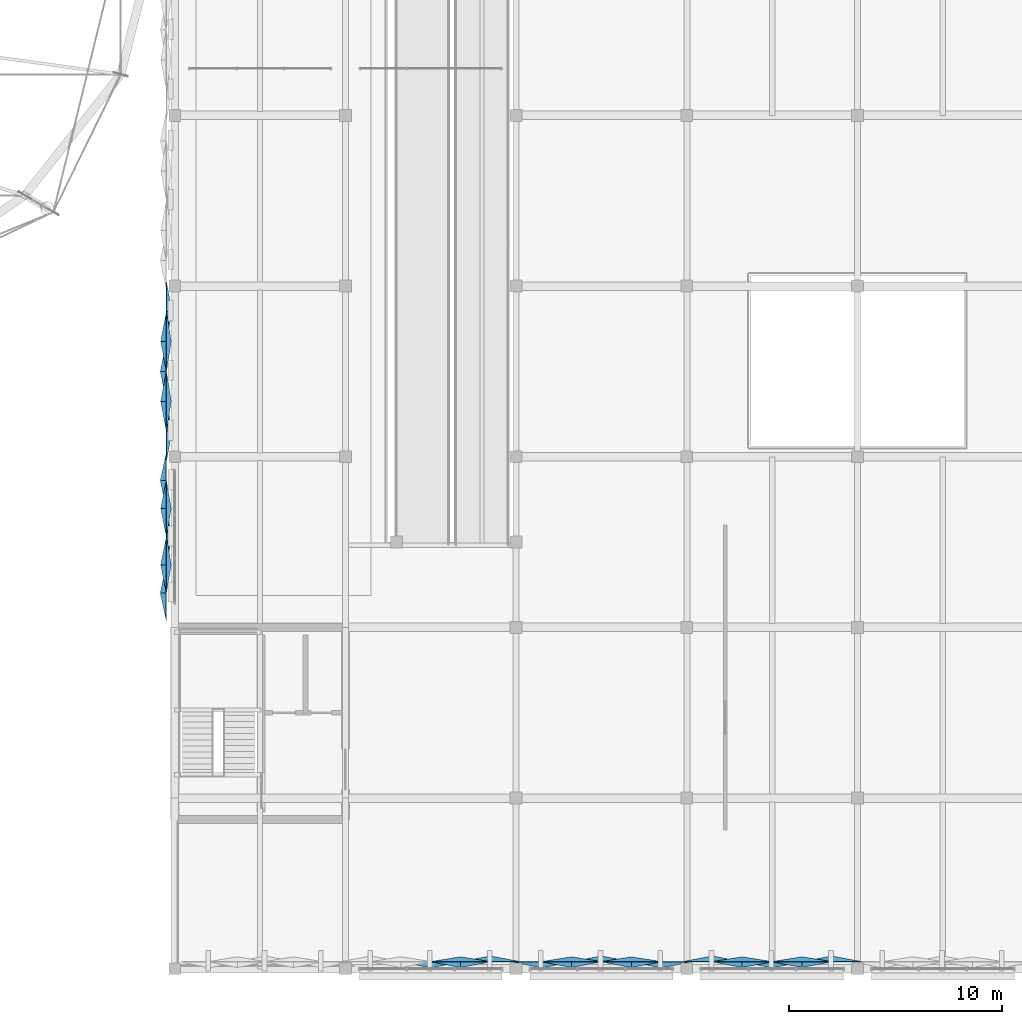
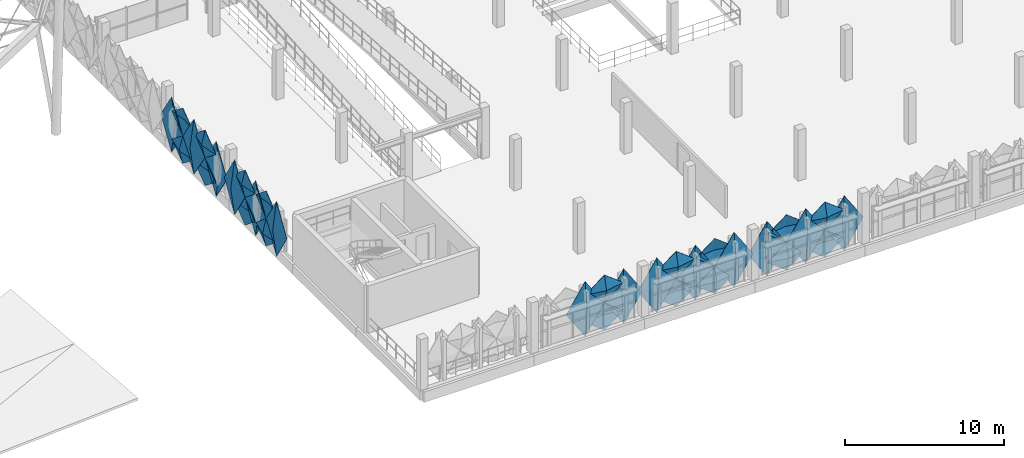
# One storey, part 69 of 96: 32 plates.
"""IFC4 building model written with IfcOpenShell, lengths in metres."""

import ifcopenshell
import ifcopenshell.guid

model = None  # the IFC model being written
_history = None  # IfcOwnerHistory: only IFC2X3 demands one
_inside = {}  # id of a spatial element -> (the spatial element, [elements in it])
_under = {}  # id of a project, library or spatial element -> (it, [spatial elements below it])
_declared = {}  # id of a project -> (the project, [libraries it declares])
_typed = {}  # id of a type object -> (the type object, [elements of that type])
_made_of = {}  # id of a material, layer set ... -> (it, [elements and type objects made of it])


def new_model(schema):
    """Start an empty IFC model of exactly this schema.

    Asked for "IFC4X3", IfcOpenShell would pick the latest addendum, in which some entities
    have other attributes; the version numbers below select the first issue.
    IFC2X3 requires an IfcOwnerHistory on every rooted entity: one is made here for all.
    """
    global model, _history
    if schema == "IFC4X3":
        model = ifcopenshell.file(schema_version=(4, 3, 0, 0))
    else:
        model = ifcopenshell.file(schema=schema)
    _inside.clear()
    _under.clear()
    _declared.clear()
    _typed.clear()
    _made_of.clear()
    _history = None
    if model.schema == "IFC2X3":
        org = make("IfcOrganization", Name="unknown")
        user = make(
            "IfcPersonAndOrganization",
            ThePerson=make("IfcPerson", FamilyName="unknown"),
            TheOrganization=org,
        )
        app = make(
            "IfcApplication",
            ApplicationDeveloper=org,
            Version="unknown",
            ApplicationFullName="unknown",
            ApplicationIdentifier="unknown",
        )
        _history = make(
            "IfcOwnerHistory",
            OwningUser=user,
            OwningApplication=app,
            ChangeAction="ADDED",
            CreationDate=0,
        )
    return model


def make(cls, **values):
    """One entity of the class cls with the attributes given. An attribute that is None is left unset."""
    return model.create_entity(
        cls, **{name: value for name, value in values.items() if value is not None}
    )


def rooted(cls, **values):
    """An entity with a GlobalId (a new one), such as an element, a storey or a relation."""
    return make(cls, GlobalId=ifcopenshell.guid.new(), OwnerHistory=_history, **values)


def si_unit(unit_type, name, prefix=None):
    """IfcSIUnit, for example si_unit("LENGTHUNIT", "METRE", prefix="MILLI")."""
    return make("IfcSIUnit", UnitType=unit_type, Prefix=prefix, Name=name)


def derived_unit(unit_type, elements):
    """IfcDerivedUnit: a product of units, each with its exponent."""
    return make(
        "IfcDerivedUnit",
        Elements=[
            make("IfcDerivedUnitElement", Unit=unit, Exponent=power)
            for unit, power in elements
        ],
        UnitType=unit_type,
    )


def assignment(units):
    """IfcUnitAssignment: the units of a project."""
    return None if units is None else make("IfcUnitAssignment", Units=units)


def point(xyz):
    """IfcCartesianPoint."""
    return None if xyz is None else make("IfcCartesianPoint", Coordinates=xyz)


def direction(xyz):
    """IfcDirection."""
    return None if xyz is None else make("IfcDirection", DirectionRatios=xyz)


def frame(location, z_axis=None, x_axis=None):
    """IfcAxis2Placement3D, a coordinate frame: its origin and axes. An axis left out is left unset."""
    return make(
        "IfcAxis2Placement3D",
        Location=point(location),
        Axis=direction(z_axis),
        RefDirection=direction(x_axis),
    )


def origin():
    """The frame at (0, 0, 0) with its axes left unset."""
    return frame((0.0, 0.0, 0.0))


def place(relative_to, where):
    """IfcLocalPlacement: puts the frame where relative to a parent placement (None: the world)."""
    return make(
        "IfcLocalPlacement", PlacementRelTo=relative_to, RelativePlacement=where
    )


def context(
    kind, dimensions, precision=None, world=None, true_north=None, identifier=None
):
    """IfcGeometricRepresentationContext, for example the 3D "Model" context."""
    return make(
        "IfcGeometricRepresentationContext",
        ContextIdentifier=identifier,
        ContextType=kind,
        CoordinateSpaceDimension=dimensions,
        Precision=precision,
        WorldCoordinateSystem=world,
        TrueNorth=true_north,
    )


def subcontext(parent, identifier, kind, view, scale=None):
    """IfcGeometricRepresentationSubContext, for example "Body" below "Model"."""
    return make(
        "IfcGeometricRepresentationSubContext",
        ContextIdentifier=identifier,
        ContextType=kind,
        ParentContext=parent,
        TargetScale=scale,
        TargetView=view,
    )


def project(units=None, contexts=None):
    """IfcProject with its units and contexts."""
    return rooted(
        "IfcProject",
        Name="project",
        RepresentationContexts=contexts,
        UnitsInContext=assignment(units),
    )


def spatial(cls, under=None, at=None, **own):
    """A site, building, storey or space (cls), placed at a placement, below another one or the project."""
    s = rooted(cls, ObjectPlacement=at, **own)
    if under is not None:
        _under.setdefault(under.id(), (under, []))[1].append(s)
    return s


def point_list(points):
    """IfcCartesianPointList2D or 3D."""
    cls = (
        "IfcCartesianPointList2D" if len(points[0]) == 2 else "IfcCartesianPointList3D"
    )
    return make(cls, CoordList=points)


def polygons(points, faces, closed=None, point_numbers=None):
    """IfcPolygonalFaceSet: a face is its outer loop, then its inner loops; points numbered from 1."""
    made = []
    for loops in faces:
        if len(loops) == 1:
            made.append(make("IfcIndexedPolygonalFace", CoordIndex=loops[0]))
        else:
            made.append(
                make(
                    "IfcIndexedPolygonalFaceWithVoids",
                    CoordIndex=loops[0],
                    InnerCoordIndices=loops[1:],
                )
            )
    return make(
        "IfcPolygonalFaceSet",
        Coordinates=point_list(points),
        Closed=closed,
        Faces=made,
        PnIndex=point_numbers,
    )


def shape(context_of_items, identifier, shape_type, items):
    """IfcShapeRepresentation: the items that make up one representation, for example the "Body"."""
    return make(
        "IfcShapeRepresentation",
        ContextOfItems=context_of_items,
        RepresentationIdentifier=identifier,
        RepresentationType=shape_type,
        Items=items,
    )


def material(Name=None, Category=None):
    """IfcMaterial."""
    return make("IfcMaterial", Name=Name, Category=Category)


def layer(
    of_material, thickness, ventilated=None, Name=None, Category=None, Priority=None
):
    """IfcMaterialLayer: one layer of a wall or slab, of a material (None: an air gap)."""
    return make(
        "IfcMaterialLayer",
        Material=of_material,
        LayerThickness=thickness,
        IsVentilated=ventilated,
        Name=Name,
        Category=Category,
        Priority=Priority,
    )


def layer_set(layers, Name=None):
    """IfcMaterialLayerSet."""
    return make("IfcMaterialLayerSet", MaterialLayers=layers, LayerSetName=Name)


def made_of(thing, what):
    """Note that an element or type object is made of a material, layer set ...; save() writes the relation."""
    if what is not None:
        _made_of.setdefault(what.id(), (what, []))[1].append(thing)
    return thing


def type_object(cls, material=None, **own):
    """A type object (cls), such as IfcWallType, which elements share."""
    return made_of(rooted(cls, **own), material)


def element(
    cls,
    number,
    at=None,
    inside=None,
    cuts=None,
    type_object=None,
    material=None,
    context=None,
    identifier="Body",
    shape_type=None,
    held_by="IfcProductDefinitionShape",
    body=None,
    shapes=None,
    **own,
):
    """One element of the class cls, such as IfcWall. Its Tag is "e" and its number.

    at: its placement. inside: the storey or other place that contains it. cuts: it is an
    opening in that element (IfcRelVoidsElement). A single representation is given by context,
    identifier, shape_type and body (its items); several are given by shapes. held_by: the class
    of the entity that holds the representations. save() writes the other relations.
    """
    e = rooted(cls, Tag="e%d" % number, ObjectPlacement=at, **own)
    if body is not None:
        shapes = [shape(context, identifier, shape_type, body)]
    if shapes is not None:
        e.Representation = make(held_by, Representations=shapes)
    if inside is not None:
        _inside.setdefault(inside.id(), (inside, []))[1].append(e)
    if cuts is not None:
        rooted(
            "IfcRelVoidsElement", RelatingBuildingElement=cuts, RelatedOpeningElement=e
        )
    if type_object is not None:
        _typed.setdefault(type_object.id(), (type_object, []))[1].append(e)
    return made_of(e, material)


def aggregate(whole, parts):
    """IfcRelAggregates: a whole, such as a stair, and the parts it consists of."""
    return rooted("IfcRelAggregates", RelatingObject=whole, RelatedObjects=parts)


def save(model, path):
    """Write the relations noted so far, then the file.

    IfcRelAggregates (storeys below a building ...), IfcRelContainedInSpatialStructure (elements
    in a storey), IfcRelDefinesByType, IfcRelAssociatesMaterial and IfcRelDeclares: one each for
    every whole, place, type object, material and project.
    """
    for whole, parts in _under.values():
        aggregate(whole, parts)
    for where, things in _inside.values():
        rooted(
            "IfcRelContainedInSpatialStructure",
            RelatedElements=things,
            RelatingStructure=where,
        )
    for kind, things in _typed.values():
        rooted("IfcRelDefinesByType", RelatedObjects=things, RelatingType=kind)
    for what, things in _made_of.values():
        rooted("IfcRelAssociatesMaterial", RelatedObjects=things, RelatingMaterial=what)
    for by, libraries in _declared.values():
        rooted("IfcRelDeclares", RelatingContext=by, RelatedDefinitions=libraries)
    model.write(path)


model = new_model("IFC4")

# Units and contexts
model_context = context("Model", 3, precision=1e-05, world=origin(), true_north=direction((0.0, 1.0)))
body_context = subcontext(model_context, "Body", "Model", "MODEL_VIEW")
ifc_project = project(units=[si_unit("LENGTHUNIT", "METRE"), si_unit("AREAUNIT", "SQUARE_METRE"), si_unit("VOLUMEUNIT", "CUBIC_METRE"), si_unit("PLANEANGLEUNIT", "RADIAN"), si_unit("MASSUNIT", "GRAM", prefix="KILO"), si_unit("THERMODYNAMICTEMPERATUREUNIT", "KELVIN"), derived_unit("THERMALTRANSMITTANCEUNIT", [(si_unit("POWERUNIT", "WATT"), 1), (si_unit("AREAUNIT", "SQUARE_METRE"), -1), (si_unit("THERMODYNAMICTEMPERATUREUNIT", "KELVIN"), -1)])], contexts=[model_context])

# Site, building, storey
site_placement = place(None, origin())
site = spatial("IfcSite", under=ifc_project, at=site_placement, CompositionType="ELEMENT")
building_placement = place(site_placement, origin())
building = spatial("IfcBuilding", under=site, at=building_placement, Name="Haiyu Intermodal Mobility Hub", CompositionType="ELEMENT")
storey_placement = place(building_placement, frame((0.0, 0.0, 9.5)))
storey = spatial("IfcBuildingStorey", under=building, at=storey_placement, Name="L02", CompositionType="ELEMENT", Elevation=9.5)

# Plates
ifc_material = material(Name="Anodised aluminium 6063-T6", Category="aluminium")
ifc_layer_1 = layer(ifc_material, 0.01806640625)
ifc_layer_set_1 = layer_set([ifc_layer_1], Name="Anodised aluminium 6063-T6")
plate_type_1 = type_object("IfcPlateType", Name="PLT-FC01", PredefinedType="USERDEFINED", material=ifc_layer_set_1)
plate_1_placement = place(storey_placement, origin())
element("IfcPlate", 1, at=plate_1_placement, inside=storey, type_object=plate_type_1, Name="PLT-PYR-1628", ObjectType="FACADE CASSETTE", PredefinedType="USERDEFINED", context=body_context, shape_type="Tessellation", body=[
    polygons([(176.800048828125, 16.320068359375, -0.510009765625), (178.179931640625, 16.320068359375, 1.60009765625), (176.800048828125, 16.320068359375, 3.7099609375), (175.419921875, 16.320068359375, 1.60009765625), (176.800048828125, 16.0400390625, 1.60009765625), (176.800048828125, 16.342041015625, -0.510009765625), (178.179931640625, 16.342041015625, 1.60009765625), (176.800048828125, 16.342041015625, 3.7099609375), (175.419921875, 16.342041015625, 1.60009765625), (176.800048828125, 16.06201171875, 1.60009765625)], [[[1, 2, 5]], [[2, 3, 5]], [[3, 4, 5]], [[4, 1, 5]], [[7, 6, 10]], [[8, 7, 10]], [[9, 8, 10]], [[6, 9, 10]], [[1, 6, 7, 2]], [[2, 7, 8, 3]], [[3, 8, 9, 4]], [[4, 9, 6, 1]]], closed=True),
])
plate_2_placement = place(storey_placement, origin())
element("IfcPlate", 2, at=plate_2_placement, inside=storey, type_object=plate_type_1, Name="PLT-PYR-1701", ObjectType="FACADE CASSETTE", PredefinedType="USERDEFINED", context=body_context, shape_type="Tessellation", body=[
    polygons([(153.60009765625, 33.616943359375, -0.510009765625), (153.60009765625, 32.320068359375, 1.60009765625), (153.60009765625, 33.616943359375, 3.7099609375), (153.60009765625, 34.9130859375, 1.60009765625), (153.320068359375, 33.616943359375, 1.60009765625), (153.6220703125, 33.616943359375, -0.510009765625), (153.6220703125, 32.320068359375, 1.60009765625), (153.6220703125, 33.616943359375, 3.7099609375), (153.6220703125, 34.9130859375, 1.60009765625), (153.342041015625, 33.616943359375, 1.60009765625)], [[[1, 2, 5]], [[2, 3, 5]], [[3, 4, 5]], [[4, 1, 5]], [[7, 6, 10]], [[8, 7, 10]], [[9, 8, 10]], [[6, 9, 10]], [[1, 6, 7, 2]], [[2, 7, 8, 3]], [[3, 8, 9, 4]], [[4, 9, 6, 1]]], closed=True),
])
ifc_layer_2 = layer(ifc_material, 0.02001953125)
ifc_layer_set_2 = layer_set([ifc_layer_2], Name="Anodised aluminium 6063-T6")
plate_type_2 = type_object("IfcPlateType", Name="PLT-FC02", PredefinedType="USERDEFINED", material=ifc_layer_set_2)
plate_3_placement = place(storey_placement, origin())
element("IfcPlate", 3, at=plate_3_placement, inside=storey, type_object=plate_type_2, Name="PLT-PYR-1621", ObjectType="FACADE CASSETTE", PredefinedType="USERDEFINED", context=body_context, shape_type="Tessellation", body=[
    polygons([(168.800048828125, 16.320068359375, -0.510009765625), (170.179931640625, 16.320068359375, 1.60009765625), (168.800048828125, 16.320068359375, 3.7099609375), (167.419921875, 16.320068359375, 1.60009765625), (168.800048828125, 16.580078125, 1.60009765625), (168.800048828125, 16.342041015625, -0.510009765625), (170.179931640625, 16.342041015625, 1.60009765625), (168.800048828125, 16.342041015625, 3.7099609375), (167.419921875, 16.342041015625, 1.60009765625), (168.800048828125, 16.60205078125, 1.60009765625)], [[[1, 2, 5]], [[2, 3, 5]], [[3, 4, 5]], [[4, 1, 5]], [[7, 6, 10]], [[8, 7, 10]], [[9, 8, 10]], [[6, 9, 10]], [[1, 6, 7, 2]], [[2, 7, 8, 3]], [[3, 8, 9, 4]], [[4, 9, 6, 1]]], closed=True),
])
plate_4_placement = place(storey_placement, origin())
element("IfcPlate", 4, at=plate_4_placement, inside=storey, type_object=plate_type_2, Name="PLT-PYR-1635", ObjectType="FACADE CASSETTE", PredefinedType="USERDEFINED", context=body_context, shape_type="Tessellation", body=[
    polygons([(184.800048828125, 16.320068359375, -0.510009765625), (186.179931640625, 16.320068359375, 1.60009765625), (184.800048828125, 16.320068359375, 3.7099609375), (183.419921875, 16.320068359375, 1.60009765625), (184.800048828125, 16.580078125, 1.60009765625), (184.800048828125, 16.342041015625, -0.510009765625), (186.179931640625, 16.342041015625, 1.60009765625), (184.800048828125, 16.342041015625, 3.7099609375), (183.419921875, 16.342041015625, 1.60009765625), (184.800048828125, 16.60205078125, 1.60009765625)], [[[1, 2, 5]], [[2, 3, 5]], [[3, 4, 5]], [[4, 1, 5]], [[7, 6, 10]], [[8, 7, 10]], [[9, 8, 10]], [[6, 9, 10]], [[1, 6, 7, 2]], [[2, 7, 8, 3]], [[3, 8, 9, 4]], [[4, 9, 6, 1]]], closed=True),
])
plate_5_placement = place(storey_placement, origin())
element("IfcPlate", 5, at=plate_5_placement, inside=storey, type_object=plate_type_2, Name="PLT-PYR-1708", ObjectType="FACADE CASSETTE", PredefinedType="USERDEFINED", context=body_context, shape_type="Tessellation", body=[
    polygons([(153.60009765625, 41.199951171875, -0.510009765625), (153.60009765625, 39.820068359375, 1.60009765625), (153.60009765625, 41.199951171875, 3.7099609375), (153.60009765625, 42.580078125, 1.60009765625), (153.860107421875, 41.199951171875, 1.60009765625), (153.6220703125, 41.199951171875, -0.510009765625), (153.6220703125, 39.820068359375, 1.60009765625), (153.6220703125, 41.199951171875, 3.7099609375), (153.6220703125, 42.580078125, 1.60009765625), (153.882080078125, 41.199951171875, 1.60009765625)], [[[1, 2, 5]], [[2, 3, 5]], [[3, 4, 5]], [[4, 1, 5]], [[7, 6, 10]], [[8, 7, 10]], [[9, 8, 10]], [[6, 9, 10]], [[1, 6, 7, 2]], [[2, 7, 8, 3]], [[3, 8, 9, 4]], [[4, 9, 6, 1]]], closed=True),
])
ifc_layer_3 = layer(ifc_material, 0.01806640625)
ifc_layer_set_3 = layer_set([ifc_layer_3], Name="Anodised aluminium 6063-T6")
plate_type_3 = type_object("IfcPlateType", Name="PLT-FC05", PredefinedType="USERDEFINED", material=ifc_layer_set_3)
plate_6_placement = place(storey_placement, origin())
element("IfcPlate", 6, at=plate_6_placement, inside=storey, type_object=plate_type_3, Name="PLT-PYR-1622", ObjectType="FACADE CASSETTE", PredefinedType="USERDEFINED", context=body_context, shape_type="Tessellation", body=[
    polygons([(171.199951171875, 16.320068359375, -0.510009765625), (172.580078125, 16.320068359375, 1.60009765625), (171.199951171875, 16.320068359375, 3.7099609375), (169.820068359375, 16.320068359375, 1.60009765625), (171.199951171875, 16.0400390625, 1.60009765625), (171.199951171875, 16.342041015625, -0.510009765625), (172.580078125, 16.342041015625, 1.60009765625), (171.199951171875, 16.342041015625, 3.7099609375), (169.820068359375, 16.342041015625, 1.60009765625), (171.199951171875, 16.06201171875, 1.60009765625)], [[[1, 2, 5]], [[2, 3, 5]], [[3, 4, 5]], [[4, 1, 5]], [[7, 6, 10]], [[8, 7, 10]], [[9, 8, 10]], [[6, 9, 10]], [[1, 6, 7, 2]], [[2, 7, 8, 3]], [[3, 8, 9, 4]], [[4, 9, 6, 1]]], closed=True),
])
plate_7_placement = place(storey_placement, origin())
element("IfcPlate", 7, at=plate_7_placement, inside=storey, type_object=plate_type_3, Name="PLT-PYR-1626", ObjectType="FACADE CASSETTE", PredefinedType="USERDEFINED", context=body_context, shape_type="Tessellation", body=[
    polygons([(175.39990234375, 16.320068359375, -0.52001953125), (176.780029296875, 16.320068359375, 0.530029296875), (175.39990234375, 16.320068359375, 1.580078125), (174.02001953125, 16.320068359375, 0.530029296875), (175.39990234375, 16.06005859375, 0.530029296875), (175.39990234375, 16.342041015625, -0.52001953125), (176.780029296875, 16.342041015625, 0.530029296875), (175.39990234375, 16.342041015625, 1.580078125), (174.02001953125, 16.342041015625, 0.530029296875), (175.39990234375, 16.08203125, 0.530029296875)], [[[1, 2, 5]], [[2, 3, 5]], [[3, 4, 5]], [[4, 1, 5]], [[7, 6, 10]], [[8, 7, 10]], [[9, 8, 10]], [[6, 9, 10]], [[1, 6, 7, 2]], [[2, 7, 8, 3]], [[3, 8, 9, 4]], [[4, 9, 6, 1]]], closed=True),
])
plate_8_placement = place(storey_placement, origin())
element("IfcPlate", 8, at=plate_8_placement, inside=storey, type_object=plate_type_3, Name="PLT-PYR-1630", ObjectType="FACADE CASSETTE", PredefinedType="USERDEFINED", context=body_context, shape_type="Tessellation", body=[
    polygons([(180.60009765625, 16.320068359375, -0.52001953125), (181.97998046875, 16.320068359375, 0.530029296875), (180.60009765625, 16.320068359375, 1.580078125), (179.219970703125, 16.320068359375, 0.530029296875), (180.60009765625, 16.06005859375, 0.530029296875), (180.60009765625, 16.342041015625, -0.52001953125), (181.97998046875, 16.342041015625, 0.530029296875), (180.60009765625, 16.342041015625, 1.580078125), (179.219970703125, 16.342041015625, 0.530029296875), (180.60009765625, 16.08203125, 0.530029296875)], [[[1, 2, 5]], [[2, 3, 5]], [[3, 4, 5]], [[4, 1, 5]], [[7, 6, 10]], [[8, 7, 10]], [[9, 8, 10]], [[6, 9, 10]], [[1, 6, 7, 2]], [[2, 7, 8, 3]], [[3, 8, 9, 4]], [[4, 9, 6, 1]]], closed=True),
])
plate_9_placement = place(storey_placement, origin())
element("IfcPlate", 9, at=plate_9_placement, inside=storey, type_object=plate_type_3, Name="PLT-PYR-1695", ObjectType="FACADE CASSETTE", PredefinedType="USERDEFINED", context=body_context, shape_type="Tessellation", body=[
    polygons([(153.60009765625, 38.883056640625, -0.510009765625), (153.60009765625, 37.5869140625, 1.60009765625), (153.60009765625, 38.883056640625, 3.7099609375), (153.60009765625, 40.179931640625, 1.60009765625), (153.320068359375, 38.883056640625, 1.60009765625), (153.6220703125, 38.883056640625, -0.510009765625), (153.6220703125, 37.5869140625, 1.60009765625), (153.6220703125, 38.883056640625, 3.7099609375), (153.6220703125, 40.179931640625, 1.60009765625), (153.342041015625, 38.883056640625, 1.60009765625)], [[[1, 2, 5]], [[2, 3, 5]], [[3, 4, 5]], [[4, 1, 5]], [[7, 6, 10]], [[8, 7, 10]], [[9, 8, 10]], [[6, 9, 10]], [[1, 6, 7, 2]], [[2, 7, 8, 3]], [[3, 8, 9, 4]], [[4, 9, 6, 1]]], closed=True),
])
plate_10_placement = place(storey_placement, origin())
element("IfcPlate", 10, at=plate_10_placement, inside=storey, type_object=plate_type_3, Name="PLT-PYR-1699", ObjectType="FACADE CASSETTE", PredefinedType="USERDEFINED", context=body_context, shape_type="Tessellation", body=[
    polygons([(153.60009765625, 34.93310546875, -0.52001953125), (153.60009765625, 33.636962890625, 0.530029296875), (153.60009765625, 34.93310546875, 1.580078125), (153.60009765625, 36.22998046875, 0.530029296875), (153.340087890625, 34.93310546875, 0.530029296875), (153.6220703125, 34.93310546875, -0.52001953125), (153.6220703125, 33.636962890625, 0.530029296875), (153.6220703125, 34.93310546875, 1.580078125), (153.6220703125, 36.22998046875, 0.530029296875), (153.362060546875, 34.93310546875, 0.530029296875)], [[[1, 2, 5]], [[2, 3, 5]], [[3, 4, 5]], [[4, 1, 5]], [[7, 6, 10]], [[8, 7, 10]], [[9, 8, 10]], [[6, 9, 10]], [[1, 6, 7, 2]], [[2, 7, 8, 3]], [[3, 8, 9, 4]], [[4, 9, 6, 1]]], closed=True),
])
plate_11_placement = place(storey_placement, origin())
element("IfcPlate", 11, at=plate_11_placement, inside=storey, type_object=plate_type_3, Name="PLT-PYR-1703", ObjectType="FACADE CASSETTE", PredefinedType="USERDEFINED", context=body_context, shape_type="Tessellation", body=[
    polygons([(153.60009765625, 45.39990234375, -0.52001953125), (153.60009765625, 44.02001953125, 0.530029296875), (153.60009765625, 45.39990234375, 1.580078125), (153.60009765625, 46.780029296875, 0.530029296875), (153.340087890625, 45.39990234375, 0.530029296875), (153.6220703125, 45.39990234375, -0.52001953125), (153.6220703125, 44.02001953125, 0.530029296875), (153.6220703125, 45.39990234375, 1.580078125), (153.6220703125, 46.780029296875, 0.530029296875), (153.362060546875, 45.39990234375, 0.530029296875)], [[[1, 2, 5]], [[2, 3, 5]], [[3, 4, 5]], [[4, 1, 5]], [[7, 6, 10]], [[8, 7, 10]], [[9, 8, 10]], [[6, 9, 10]], [[1, 6, 7, 2]], [[2, 7, 8, 3]], [[3, 8, 9, 4]], [[4, 9, 6, 1]]], closed=True),
])
ifc_layer_4 = layer(ifc_material, 0.02001953125)
ifc_layer_set_4 = layer_set([ifc_layer_4], Name="Anodised aluminium 6063-T6")
plate_type_4 = type_object("IfcPlateType", Name="PLT-FC06", PredefinedType="USERDEFINED", material=ifc_layer_set_4)
plate_12_placement = place(storey_placement, origin())
element("IfcPlate", 12, at=plate_12_placement, inside=storey, type_object=plate_type_4, Name="PLT-PYR-1619", ObjectType="FACADE CASSETTE", PredefinedType="USERDEFINED", context=body_context, shape_type="Tessellation", body=[
    polygons([(167.39990234375, 16.320068359375, -0.52001953125), (168.780029296875, 16.320068359375, 0.530029296875), (167.39990234375, 16.320068359375, 1.580078125), (166.02001953125, 16.320068359375, 0.530029296875), (167.39990234375, 16.5400390625, 0.530029296875), (167.39990234375, 16.342041015625, -0.52001953125), (168.780029296875, 16.342041015625, 0.530029296875), (167.39990234375, 16.342041015625, 1.580078125), (166.02001953125, 16.342041015625, 0.530029296875), (167.39990234375, 16.56201171875, 0.530029296875)], [[[1, 2, 5]], [[2, 3, 5]], [[3, 4, 5]], [[4, 1, 5]], [[7, 6, 10]], [[8, 7, 10]], [[9, 8, 10]], [[6, 9, 10]], [[1, 6, 7, 2]], [[2, 7, 8, 3]], [[3, 8, 9, 4]], [[4, 9, 6, 1]]], closed=True),
])
plate_13_placement = place(storey_placement, origin())
element("IfcPlate", 13, at=plate_13_placement, inside=storey, type_object=plate_type_4, Name="PLT-PYR-1623", ObjectType="FACADE CASSETTE", PredefinedType="USERDEFINED", context=body_context, shape_type="Tessellation", body=[
    polygons([(172.60009765625, 16.320068359375, -0.52001953125), (173.97998046875, 16.320068359375, 0.530029296875), (172.60009765625, 16.320068359375, 1.580078125), (171.219970703125, 16.320068359375, 0.530029296875), (172.60009765625, 16.5400390625, 0.530029296875), (172.60009765625, 16.342041015625, -0.52001953125), (173.97998046875, 16.342041015625, 0.530029296875), (172.60009765625, 16.342041015625, 1.580078125), (171.219970703125, 16.342041015625, 0.530029296875), (172.60009765625, 16.56201171875, 0.530029296875)], [[[1, 2, 5]], [[2, 3, 5]], [[3, 4, 5]], [[4, 1, 5]], [[7, 6, 10]], [[8, 7, 10]], [[9, 8, 10]], [[6, 9, 10]], [[1, 6, 7, 2]], [[2, 7, 8, 3]], [[3, 8, 9, 4]], [[4, 9, 6, 1]]], closed=True),
])
plate_14_placement = place(storey_placement, origin())
element("IfcPlate", 14, at=plate_14_placement, inside=storey, type_object=plate_type_4, Name="PLT-PYR-1629", ObjectType="FACADE CASSETTE", PredefinedType="USERDEFINED", context=body_context, shape_type="Tessellation", body=[
    polygons([(179.199951171875, 16.320068359375, -0.510009765625), (180.580078125, 16.320068359375, 1.60009765625), (179.199951171875, 16.320068359375, 3.7099609375), (177.820068359375, 16.320068359375, 1.60009765625), (179.199951171875, 16.580078125, 1.60009765625), (179.199951171875, 16.342041015625, -0.510009765625), (180.580078125, 16.342041015625, 1.60009765625), (179.199951171875, 16.342041015625, 3.7099609375), (177.820068359375, 16.342041015625, 1.60009765625), (179.199951171875, 16.60205078125, 1.60009765625)], [[[1, 2, 5]], [[2, 3, 5]], [[3, 4, 5]], [[4, 1, 5]], [[7, 6, 10]], [[8, 7, 10]], [[9, 8, 10]], [[6, 9, 10]], [[1, 6, 7, 2]], [[2, 7, 8, 3]], [[3, 8, 9, 4]], [[4, 9, 6, 1]]], closed=True),
])
plate_15_placement = place(storey_placement, origin())
element("IfcPlate", 15, at=plate_15_placement, inside=storey, type_object=plate_type_4, Name="PLT-PYR-1633", ObjectType="FACADE CASSETTE", PredefinedType="USERDEFINED", context=body_context, shape_type="Tessellation", body=[
    polygons([(183.39990234375, 16.320068359375, -0.52001953125), (184.780029296875, 16.320068359375, 0.530029296875), (183.39990234375, 16.320068359375, 1.580078125), (182.02001953125, 16.320068359375, 0.530029296875), (183.39990234375, 16.5400390625, 0.530029296875), (183.39990234375, 16.342041015625, -0.52001953125), (184.780029296875, 16.342041015625, 0.530029296875), (183.39990234375, 16.342041015625, 1.580078125), (182.02001953125, 16.342041015625, 0.530029296875), (183.39990234375, 16.56201171875, 0.530029296875)], [[[1, 2, 5]], [[2, 3, 5]], [[3, 4, 5]], [[4, 1, 5]], [[7, 6, 10]], [[8, 7, 10]], [[9, 8, 10]], [[6, 9, 10]], [[1, 6, 7, 2]], [[2, 7, 8, 3]], [[3, 8, 9, 4]], [[4, 9, 6, 1]]], closed=True),
])
plate_16_placement = place(storey_placement, origin())
element("IfcPlate", 16, at=plate_16_placement, inside=storey, type_object=plate_type_4, Name="PLT-PYR-1696", ObjectType="FACADE CASSETTE", PredefinedType="USERDEFINED", context=body_context, shape_type="Tessellation", body=[
    polygons([(153.60009765625, 37.56689453125, -0.52001953125), (153.60009765625, 36.27001953125, 0.530029296875), (153.60009765625, 37.56689453125, 1.580078125), (153.60009765625, 38.863037109375, 0.530029296875), (153.820068359375, 37.56689453125, 0.530029296875), (153.6220703125, 37.56689453125, -0.52001953125), (153.6220703125, 36.27001953125, 0.530029296875), (153.6220703125, 37.56689453125, 1.580078125), (153.6220703125, 38.863037109375, 0.530029296875), (153.842041015625, 37.56689453125, 0.530029296875)], [[[1, 2, 5]], [[2, 3, 5]], [[3, 4, 5]], [[4, 1, 5]], [[7, 6, 10]], [[8, 7, 10]], [[9, 8, 10]], [[6, 9, 10]], [[1, 6, 7, 2]], [[2, 7, 8, 3]], [[3, 8, 9, 4]], [[4, 9, 6, 1]]], closed=True),
])
plate_17_placement = place(storey_placement, origin())
element("IfcPlate", 17, at=plate_17_placement, inside=storey, type_object=plate_type_4, Name="PLT-PYR-1702", ObjectType="FACADE CASSETTE", PredefinedType="USERDEFINED", context=body_context, shape_type="Tessellation", body=[
    polygons([(153.60009765625, 46.800048828125, -0.510009765625), (153.60009765625, 45.419921875, 1.60009765625), (153.60009765625, 46.800048828125, 3.7099609375), (153.60009765625, 48.179931640625, 1.60009765625), (153.860107421875, 46.800048828125, 1.60009765625), (153.6220703125, 46.800048828125, -0.510009765625), (153.6220703125, 45.419921875, 1.60009765625), (153.6220703125, 46.800048828125, 3.7099609375), (153.6220703125, 48.179931640625, 1.60009765625), (153.882080078125, 46.800048828125, 1.60009765625)], [[[1, 2, 5]], [[2, 3, 5]], [[3, 4, 5]], [[4, 1, 5]], [[7, 6, 10]], [[8, 7, 10]], [[9, 8, 10]], [[6, 9, 10]], [[1, 6, 7, 2]], [[2, 7, 8, 3]], [[3, 8, 9, 4]], [[4, 9, 6, 1]]], closed=True),
])
plate_18_placement = place(storey_placement, origin())
element("IfcPlate", 18, at=plate_18_placement, inside=storey, type_object=plate_type_4, Name="PLT-PYR-1706", ObjectType="FACADE CASSETTE", PredefinedType="USERDEFINED", context=body_context, shape_type="Tessellation", body=[
    polygons([(153.60009765625, 42.60009765625, -0.52001953125), (153.60009765625, 41.219970703125, 0.530029296875), (153.60009765625, 42.60009765625, 1.580078125), (153.60009765625, 43.97998046875, 0.530029296875), (153.820068359375, 42.60009765625, 0.530029296875), (153.6220703125, 42.60009765625, -0.52001953125), (153.6220703125, 41.219970703125, 0.530029296875), (153.6220703125, 42.60009765625, 1.580078125), (153.6220703125, 43.97998046875, 0.530029296875), (153.842041015625, 42.60009765625, 0.530029296875)], [[[1, 2, 5]], [[2, 3, 5]], [[3, 4, 5]], [[4, 1, 5]], [[7, 6, 10]], [[8, 7, 10]], [[9, 8, 10]], [[6, 9, 10]], [[1, 6, 7, 2]], [[2, 7, 8, 3]], [[3, 8, 9, 4]], [[4, 9, 6, 1]]], closed=True),
])
ifc_layer_5 = layer(ifc_material, 0.02197265625)
ifc_layer_set_5 = layer_set([ifc_layer_5], Name="Anodised aluminium 6063-T6")
plate_type_5 = type_object("IfcPlateType", Name="PLT-FC07", PredefinedType="USERDEFINED", material=ifc_layer_set_5)
plate_19_placement = place(storey_placement, origin())
element("IfcPlate", 19, at=plate_19_placement, inside=storey, type_object=plate_type_5, Name="PLT-PYR-1618", ObjectType="FACADE CASSETTE", PredefinedType="USERDEFINED", context=body_context, shape_type="Tessellation", body=[
    polygons([(166.0, 16.320068359375, -0.510009765625), (167.3798828125, 16.320068359375, 1.60009765625), (166.0, 16.320068359375, 3.7099609375), (164.6201171875, 16.320068359375, 1.60009765625), (166.0, 16.0400390625, 1.60009765625), (166.0, 16.342041015625, -0.510009765625), (167.3798828125, 16.342041015625, 1.60009765625), (166.0, 16.342041015625, 3.7099609375), (164.6201171875, 16.342041015625, 1.60009765625), (166.0, 16.06201171875, 1.60009765625)], [[[1, 2, 5]], [[2, 3, 5]], [[3, 4, 5]], [[4, 1, 5]], [[7, 6, 10]], [[8, 7, 10]], [[9, 8, 10]], [[6, 9, 10]], [[1, 6, 7, 2]], [[2, 7, 8, 3]], [[3, 8, 9, 4]], [[4, 9, 6, 1]]], closed=True),
])
plate_20_placement = place(storey_placement, origin())
element("IfcPlate", 20, at=plate_20_placement, inside=storey, type_object=plate_type_5, Name="PLT-PYR-1620", ObjectType="FACADE CASSETTE", PredefinedType="USERDEFINED", context=body_context, shape_type="Tessellation", body=[
    polygons([(167.39990234375, 16.320068359375, 1.6201171875), (168.780029296875, 16.320068359375, 2.669921875), (167.39990234375, 16.320068359375, 3.719970703125), (166.02001953125, 16.320068359375, 2.669921875), (167.39990234375, 16.06005859375, 2.669921875), (167.39990234375, 16.342041015625, 1.6201171875), (168.780029296875, 16.342041015625, 2.669921875), (167.39990234375, 16.342041015625, 3.719970703125), (166.02001953125, 16.342041015625, 2.669921875), (167.39990234375, 16.08203125, 2.669921875)], [[[1, 2, 5]], [[2, 3, 5]], [[3, 4, 5]], [[4, 1, 5]], [[7, 6, 10]], [[8, 7, 10]], [[9, 8, 10]], [[6, 9, 10]], [[1, 6, 7, 2]], [[2, 7, 8, 3]], [[3, 8, 9, 4]], [[4, 9, 6, 1]]], closed=True),
])
plate_21_placement = place(storey_placement, origin())
element("IfcPlate", 21, at=plate_21_placement, inside=storey, type_object=plate_type_5, Name="PLT-PYR-1624", ObjectType="FACADE CASSETTE", PredefinedType="USERDEFINED", context=body_context, shape_type="Tessellation", body=[
    polygons([(172.60009765625, 16.320068359375, 1.6201171875), (173.97998046875, 16.320068359375, 2.669921875), (172.60009765625, 16.320068359375, 3.719970703125), (171.219970703125, 16.320068359375, 2.669921875), (172.60009765625, 16.06005859375, 2.669921875), (172.60009765625, 16.342041015625, 1.6201171875), (173.97998046875, 16.342041015625, 2.669921875), (172.60009765625, 16.342041015625, 3.719970703125), (171.219970703125, 16.342041015625, 2.669921875), (172.60009765625, 16.08203125, 2.669921875)], [[[1, 2, 5]], [[2, 3, 5]], [[3, 4, 5]], [[4, 1, 5]], [[7, 6, 10]], [[8, 7, 10]], [[9, 8, 10]], [[6, 9, 10]], [[1, 6, 7, 2]], [[2, 7, 8, 3]], [[3, 8, 9, 4]], [[4, 9, 6, 1]]], closed=True),
])
plate_22_placement = place(storey_placement, origin())
element("IfcPlate", 22, at=plate_22_placement, inside=storey, type_object=plate_type_5, Name="PLT-PYR-1632", ObjectType="FACADE CASSETTE", PredefinedType="USERDEFINED", context=body_context, shape_type="Tessellation", body=[
    polygons([(182.0, 16.320068359375, -0.510009765625), (183.3798828125, 16.320068359375, 1.60009765625), (182.0, 16.320068359375, 3.7099609375), (180.6201171875, 16.320068359375, 1.60009765625), (182.0, 16.0400390625, 1.60009765625), (182.0, 16.342041015625, -0.510009765625), (183.3798828125, 16.342041015625, 1.60009765625), (182.0, 16.342041015625, 3.7099609375), (180.6201171875, 16.342041015625, 1.60009765625), (182.0, 16.06201171875, 1.60009765625)], [[[1, 2, 5]], [[2, 3, 5]], [[3, 4, 5]], [[4, 1, 5]], [[7, 6, 10]], [[8, 7, 10]], [[9, 8, 10]], [[6, 9, 10]], [[1, 6, 7, 2]], [[2, 7, 8, 3]], [[3, 8, 9, 4]], [[4, 9, 6, 1]]], closed=True),
])
plate_23_placement = place(storey_placement, origin())
element("IfcPlate", 23, at=plate_23_placement, inside=storey, type_object=plate_type_5, Name="PLT-PYR-1634", ObjectType="FACADE CASSETTE", PredefinedType="USERDEFINED", context=body_context, shape_type="Tessellation", body=[
    polygons([(183.39990234375, 16.320068359375, 1.6201171875), (184.780029296875, 16.320068359375, 2.669921875), (183.39990234375, 16.320068359375, 3.719970703125), (182.02001953125, 16.320068359375, 2.669921875), (183.39990234375, 16.06005859375, 2.669921875), (183.39990234375, 16.342041015625, 1.6201171875), (184.780029296875, 16.342041015625, 2.669921875), (183.39990234375, 16.342041015625, 3.719970703125), (182.02001953125, 16.342041015625, 2.669921875), (183.39990234375, 16.08203125, 2.669921875)], [[[1, 2, 5]], [[2, 3, 5]], [[3, 4, 5]], [[4, 1, 5]], [[7, 6, 10]], [[8, 7, 10]], [[9, 8, 10]], [[6, 9, 10]], [[1, 6, 7, 2]], [[2, 7, 8, 3]], [[3, 8, 9, 4]], [[4, 9, 6, 1]]], closed=True),
])
plate_24_placement = place(storey_placement, origin())
element("IfcPlate", 24, at=plate_24_placement, inside=storey, type_object=plate_type_5, Name="PLT-PYR-1697", ObjectType="FACADE CASSETTE", PredefinedType="USERDEFINED", context=body_context, shape_type="Tessellation", body=[
    polygons([(153.60009765625, 37.56689453125, 1.6201171875), (153.60009765625, 36.27001953125, 2.669921875), (153.60009765625, 37.56689453125, 3.719970703125), (153.60009765625, 38.863037109375, 2.669921875), (153.340087890625, 37.56689453125, 2.669921875), (153.6220703125, 37.56689453125, 1.6201171875), (153.6220703125, 36.27001953125, 2.669921875), (153.6220703125, 37.56689453125, 3.719970703125), (153.6220703125, 38.863037109375, 2.669921875), (153.362060546875, 37.56689453125, 2.669921875)], [[[1, 2, 5]], [[2, 3, 5]], [[3, 4, 5]], [[4, 1, 5]], [[7, 6, 10]], [[8, 7, 10]], [[9, 8, 10]], [[6, 9, 10]], [[1, 6, 7, 2]], [[2, 7, 8, 3]], [[3, 8, 9, 4]], [[4, 9, 6, 1]]], closed=True),
])
plate_25_placement = place(storey_placement, origin())
element("IfcPlate", 25, at=plate_25_placement, inside=storey, type_object=plate_type_5, Name="PLT-PYR-1705", ObjectType="FACADE CASSETTE", PredefinedType="USERDEFINED", context=body_context, shape_type="Tessellation", body=[
    polygons([(153.60009765625, 44.0, -0.510009765625), (153.60009765625, 42.6201171875, 1.60009765625), (153.60009765625, 44.0, 3.7099609375), (153.60009765625, 45.3798828125, 1.60009765625), (153.320068359375, 44.0, 1.60009765625), (153.6220703125, 44.0, -0.510009765625), (153.6220703125, 42.6201171875, 1.60009765625), (153.6220703125, 44.0, 3.7099609375), (153.6220703125, 45.3798828125, 1.60009765625), (153.342041015625, 44.0, 1.60009765625)], [[[1, 2, 5]], [[2, 3, 5]], [[3, 4, 5]], [[4, 1, 5]], [[7, 6, 10]], [[8, 7, 10]], [[9, 8, 10]], [[6, 9, 10]], [[1, 6, 7, 2]], [[2, 7, 8, 3]], [[3, 8, 9, 4]], [[4, 9, 6, 1]]], closed=True),
])
plate_26_placement = place(storey_placement, origin())
element("IfcPlate", 26, at=plate_26_placement, inside=storey, type_object=plate_type_5, Name="PLT-PYR-1707", ObjectType="FACADE CASSETTE", PredefinedType="USERDEFINED", context=body_context, shape_type="Tessellation", body=[
    polygons([(153.60009765625, 42.60009765625, 1.6201171875), (153.60009765625, 41.219970703125, 2.669921875), (153.60009765625, 42.60009765625, 3.719970703125), (153.60009765625, 43.97998046875, 2.669921875), (153.340087890625, 42.60009765625, 2.669921875), (153.6220703125, 42.60009765625, 1.6201171875), (153.6220703125, 41.219970703125, 2.669921875), (153.6220703125, 42.60009765625, 3.719970703125), (153.6220703125, 43.97998046875, 2.669921875), (153.362060546875, 42.60009765625, 2.669921875)], [[[1, 2, 5]], [[2, 3, 5]], [[3, 4, 5]], [[4, 1, 5]], [[7, 6, 10]], [[8, 7, 10]], [[9, 8, 10]], [[6, 9, 10]], [[1, 6, 7, 2]], [[2, 7, 8, 3]], [[3, 8, 9, 4]], [[4, 9, 6, 1]]], closed=True),
])
ifc_layer_6 = layer(ifc_material, 0.02392578125)
ifc_layer_set_6 = layer_set([ifc_layer_6], Name="Anodised aluminium 6063-T6")
plate_type_6 = type_object("IfcPlateType", Name="PLT-FC08", PredefinedType="USERDEFINED", material=ifc_layer_set_6)
plate_27_placement = place(storey_placement, origin())
element("IfcPlate", 27, at=plate_27_placement, inside=storey, type_object=plate_type_6, Name="PLT-PYR-1625", ObjectType="FACADE CASSETTE", PredefinedType="USERDEFINED", context=body_context, shape_type="Tessellation", body=[
    polygons([(174.0, 16.320068359375, -0.510009765625), (175.3798828125, 16.320068359375, 1.60009765625), (174.0, 16.320068359375, 3.7099609375), (172.6201171875, 16.320068359375, 1.60009765625), (174.0, 16.580078125, 1.60009765625), (174.0, 16.342041015625, -0.510009765625), (175.3798828125, 16.342041015625, 1.60009765625), (174.0, 16.342041015625, 3.7099609375), (172.6201171875, 16.342041015625, 1.60009765625), (174.0, 16.60205078125, 1.60009765625)], [[[1, 2, 5]], [[2, 3, 5]], [[3, 4, 5]], [[4, 1, 5]], [[7, 6, 10]], [[8, 7, 10]], [[9, 8, 10]], [[6, 9, 10]], [[1, 6, 7, 2]], [[2, 7, 8, 3]], [[3, 8, 9, 4]], [[4, 9, 6, 1]]], closed=True),
])
plate_28_placement = place(storey_placement, origin())
element("IfcPlate", 28, at=plate_28_placement, inside=storey, type_object=plate_type_6, Name="PLT-PYR-1627", ObjectType="FACADE CASSETTE", PredefinedType="USERDEFINED", context=body_context, shape_type="Tessellation", body=[
    polygons([(175.39990234375, 16.320068359375, 1.6201171875), (176.780029296875, 16.320068359375, 2.669921875), (175.39990234375, 16.320068359375, 3.719970703125), (174.02001953125, 16.320068359375, 2.669921875), (175.39990234375, 16.5400390625, 2.669921875), (175.39990234375, 16.342041015625, 1.6201171875), (176.780029296875, 16.342041015625, 2.669921875), (175.39990234375, 16.342041015625, 3.719970703125), (174.02001953125, 16.342041015625, 2.669921875), (175.39990234375, 16.56201171875, 2.669921875)], [[[1, 2, 5]], [[2, 3, 5]], [[3, 4, 5]], [[4, 1, 5]], [[7, 6, 10]], [[8, 7, 10]], [[9, 8, 10]], [[6, 9, 10]], [[1, 6, 7, 2]], [[2, 7, 8, 3]], [[3, 8, 9, 4]], [[4, 9, 6, 1]]], closed=True),
])
plate_29_placement = place(storey_placement, origin())
element("IfcPlate", 29, at=plate_29_placement, inside=storey, type_object=plate_type_6, Name="PLT-PYR-1631", ObjectType="FACADE CASSETTE", PredefinedType="USERDEFINED", context=body_context, shape_type="Tessellation", body=[
    polygons([(180.60009765625, 16.320068359375, 1.6201171875), (181.97998046875, 16.320068359375, 2.669921875), (180.60009765625, 16.320068359375, 3.719970703125), (179.219970703125, 16.320068359375, 2.669921875), (180.60009765625, 16.5400390625, 2.669921875), (180.60009765625, 16.342041015625, 1.6201171875), (181.97998046875, 16.342041015625, 2.669921875), (180.60009765625, 16.342041015625, 3.719970703125), (179.219970703125, 16.342041015625, 2.669921875), (180.60009765625, 16.56201171875, 2.669921875)], [[[1, 2, 5]], [[2, 3, 5]], [[3, 4, 5]], [[4, 1, 5]], [[7, 6, 10]], [[8, 7, 10]], [[9, 8, 10]], [[6, 9, 10]], [[1, 6, 7, 2]], [[2, 7, 8, 3]], [[3, 8, 9, 4]], [[4, 9, 6, 1]]], closed=True),
])
plate_30_placement = place(storey_placement, origin())
element("IfcPlate", 30, at=plate_30_placement, inside=storey, type_object=plate_type_6, Name="PLT-PYR-1698", ObjectType="FACADE CASSETTE", PredefinedType="USERDEFINED", context=body_context, shape_type="Tessellation", body=[
    polygons([(153.60009765625, 36.25, -0.510009765625), (153.60009765625, 34.952880859375, 1.60009765625), (153.60009765625, 36.25, 3.7099609375), (153.60009765625, 37.547119140625, 1.60009765625), (153.860107421875, 36.25, 1.60009765625), (153.6220703125, 36.25, -0.510009765625), (153.6220703125, 34.952880859375, 1.60009765625), (153.6220703125, 36.25, 3.7099609375), (153.6220703125, 37.547119140625, 1.60009765625), (153.882080078125, 36.25, 1.60009765625)], [[[1, 2, 5]], [[2, 3, 5]], [[3, 4, 5]], [[4, 1, 5]], [[7, 6, 10]], [[8, 7, 10]], [[9, 8, 10]], [[6, 9, 10]], [[1, 6, 7, 2]], [[2, 7, 8, 3]], [[3, 8, 9, 4]], [[4, 9, 6, 1]]], closed=True),
])
plate_31_placement = place(storey_placement, origin())
element("IfcPlate", 31, at=plate_31_placement, inside=storey, type_object=plate_type_6, Name="PLT-PYR-1700", ObjectType="FACADE CASSETTE", PredefinedType="USERDEFINED", context=body_context, shape_type="Tessellation", body=[
    polygons([(153.60009765625, 34.93310546875, 1.6201171875), (153.60009765625, 33.636962890625, 2.669921875), (153.60009765625, 34.93310546875, 3.719970703125), (153.60009765625, 36.22998046875, 2.669921875), (153.820068359375, 34.93310546875, 2.669921875), (153.6220703125, 34.93310546875, 1.6201171875), (153.6220703125, 33.636962890625, 2.669921875), (153.6220703125, 34.93310546875, 3.719970703125), (153.6220703125, 36.22998046875, 2.669921875), (153.842041015625, 34.93310546875, 2.669921875)], [[[1, 2, 5]], [[2, 3, 5]], [[3, 4, 5]], [[4, 1, 5]], [[7, 6, 10]], [[8, 7, 10]], [[9, 8, 10]], [[6, 9, 10]], [[1, 6, 7, 2]], [[2, 7, 8, 3]], [[3, 8, 9, 4]], [[4, 9, 6, 1]]], closed=True),
])
plate_32_placement = place(storey_placement, origin())
element("IfcPlate", 32, at=plate_32_placement, inside=storey, type_object=plate_type_6, Name="PLT-PYR-1704", ObjectType="FACADE CASSETTE", PredefinedType="USERDEFINED", context=body_context, shape_type="Tessellation", body=[
    polygons([(153.60009765625, 45.39990234375, 1.6201171875), (153.60009765625, 44.02001953125, 2.669921875), (153.60009765625, 45.39990234375, 3.719970703125), (153.60009765625, 46.780029296875, 2.669921875), (153.820068359375, 45.39990234375, 2.669921875), (153.6220703125, 45.39990234375, 1.6201171875), (153.6220703125, 44.02001953125, 2.669921875), (153.6220703125, 45.39990234375, 3.719970703125), (153.6220703125, 46.780029296875, 2.669921875), (153.842041015625, 45.39990234375, 2.669921875)], [[[1, 2, 5]], [[2, 3, 5]], [[3, 4, 5]], [[4, 1, 5]], [[7, 6, 10]], [[8, 7, 10]], [[9, 8, 10]], [[6, 9, 10]], [[1, 6, 7, 2]], [[2, 7, 8, 3]], [[3, 8, 9, 4]], [[4, 9, 6, 1]]], closed=True),
])

save(model, "model.ifc")
